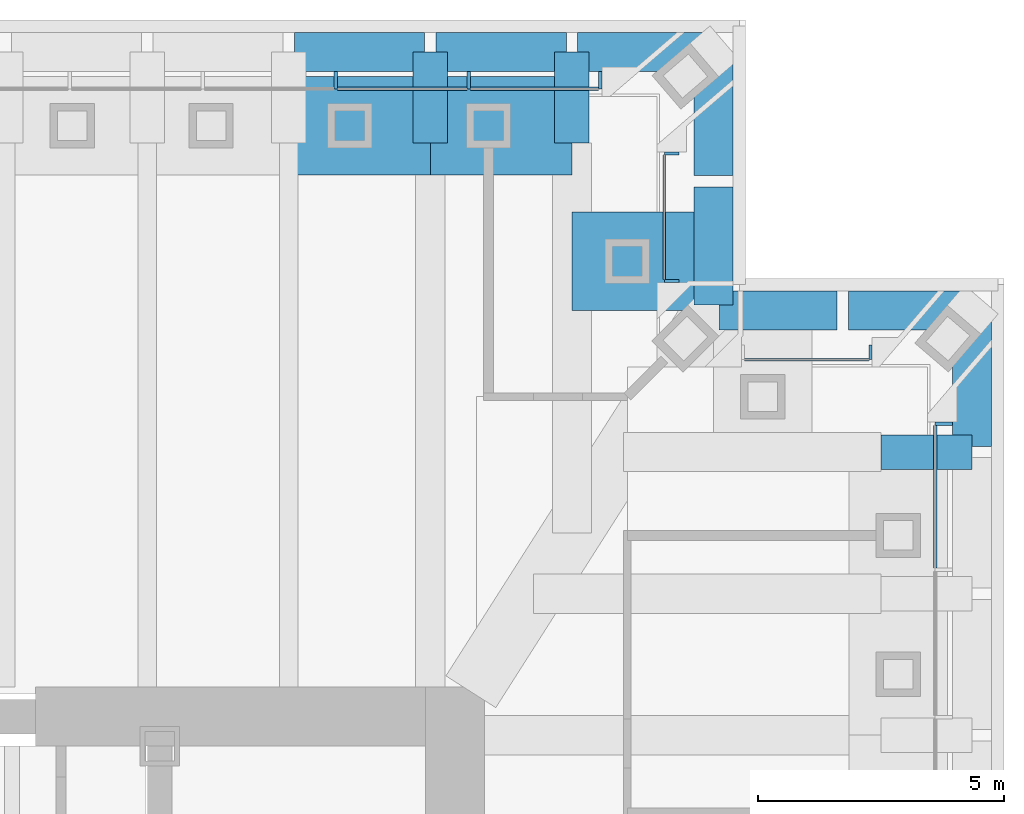
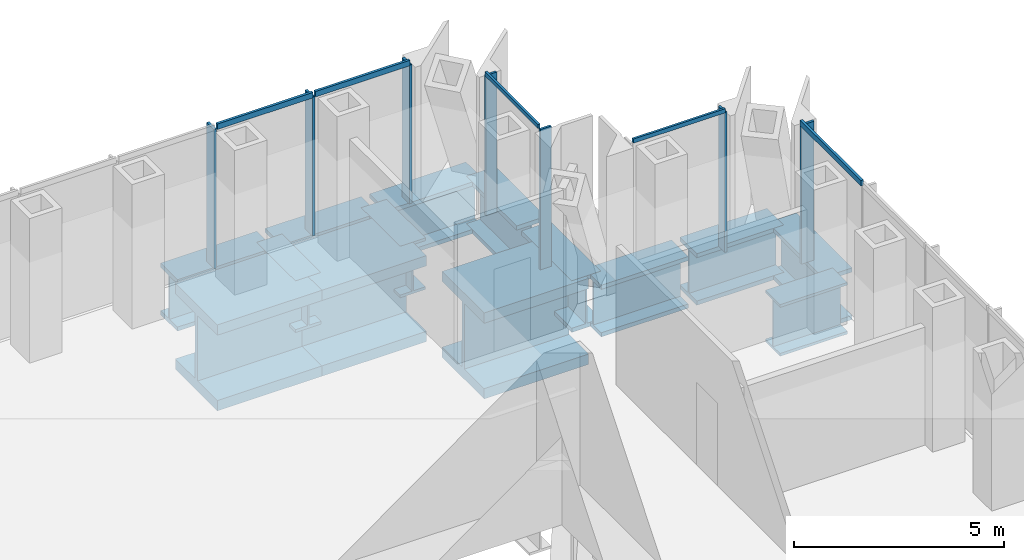
# One storey, part 6 of 12: 14 beams, 12 members, 4 elements without a shape of their own.
"""IFC4 building model written with IfcOpenShell, lengths in metres."""

from ifc_helpers import new_model, si_unit, direction, frame, origin, origin_2d, place, context, subcontext, project, spatial, rectangle, i_section, extrude, material, material_profile, profile_set, type_object, element, aggregate, save


model = new_model("IFC4")

# Units and contexts
model_context = context("Model", 3, precision=1e-05, world=origin(), true_north=direction((0.0, 1.0)))
body_context = subcontext(model_context, "Body", "Model", "MODEL_VIEW")
ifc_project = project(units=[si_unit("LENGTHUNIT", "METRE"), si_unit("AREAUNIT", "SQUARE_METRE"), si_unit("VOLUMEUNIT", "CUBIC_METRE"), si_unit("PLANEANGLEUNIT", "RADIAN"), si_unit("MASSUNIT", "GRAM", prefix="KILO")], contexts=[model_context])

# Site, building, storey
site_placement = place(None, origin())
site = spatial("IfcSite", under=ifc_project, at=site_placement, CompositionType="ELEMENT")
building_placement = place(site_placement, origin())
building = spatial("IfcBuilding", under=site, at=building_placement, Name="Daluyong Arena Tower", CompositionType="ELEMENT")
storey_placement = place(building_placement, frame((0.0, 0.0, 181.300048828125)))
storey = spatial("IfcBuildingStorey", under=building, at=storey_placement, Name="L40", CompositionType="ELEMENT", Elevation=181.300048828125)

# Curtain wall, member
ifc_material_1 = material(Name="Bronze anodised aluminium and glass", Category="aluminium")
curtain_wall_type_1 = type_object("IfcCurtainWallType", Name="Curtain wall CW3", PredefinedType="USERDEFINED", material=ifc_material_1)
curtain_wall_1_placement = place(storey_placement, origin())
curtain_wall_1 = element("IfcCurtainWall", 1, at=curtain_wall_1_placement, inside=storey, type_object=curtain_wall_type_1, Name="curtain wall L40 E", ObjectType="UNITISED CURTAIN WALL", PredefinedType="USERDEFINED")
ifc_material_2 = material(Name="Bronze anodised aluminium fin", Category="aluminium")
ifc_material_profile_1 = material_profile(ifc_material_2, rectangle(XDim=0.35009765625, YDim=0.070068359375, at=origin_2d()))
ifc_profile_set_1 = profile_set([ifc_material_profile_1], Name="Bronze anodised aluminium fin")
member_type_1 = type_object("IfcMemberType", Name="CW3 bronze fin 350x70", PredefinedType="MULLION", material=ifc_profile_set_1)
member_1_placement = place(storey_placement, frame((77.925048828125, 94.949462890625, 0.0), z_axis=(0.0, 0.0, 1.0), x_axis=(-1.0, 0.0, 0.0)))
member_1 = element("IfcMember", 2, at=member_1_placement, type_object=member_type_1, Name="curtain wall L40 E fin 11", PredefinedType="MULLION", context=body_context, shape_type="SweptSolid", body=[
    extrude(rectangle(XDim=0.35009765625, YDim=0.070068359375, at=origin_2d()), origin(), (0.0, 0.0, 1.0), 4.0400390625),
])

# Curtain wall, members
curtain_wall_2_placement = place(storey_placement, origin())
curtain_wall_2 = element("IfcCurtainWall", 3, at=curtain_wall_2_placement, inside=storey, type_object=curtain_wall_type_1, Name="curtain wall L40 N part 1", ObjectType="UNITISED CURTAIN WALL", PredefinedType="USERDEFINED")
member_2_placement = place(storey_placement, frame((70.949462890625, 101.925048828125, 0.0), z_axis=(0.0, 0.0, 1.0), x_axis=(0.0, -1.0, 0.0)))
member_2 = element("IfcMember", 4, at=member_2_placement, type_object=member_type_1, Name="curtain wall L40 N part 1 fin 1", PredefinedType="MULLION", context=body_context, shape_type="SweptSolid", body=[
    extrude(rectangle(XDim=0.35009765625, YDim=0.070068359375, at=origin_2d()), origin(), (0.0, 0.0, 1.0), 4.0400390625),
])
member_3_placement = place(storey_placement, frame((68.282958984375, 101.925048828125, 0.0), z_axis=(0.0, 0.0, 1.0), x_axis=(0.0, -1.0, 0.0)))
member_3 = element("IfcMember", 5, at=member_3_placement, type_object=member_type_1, Name="curtain wall L40 N part 1 fin 2", PredefinedType="MULLION", context=body_context, shape_type="SweptSolid", body=[
    extrude(rectangle(XDim=0.35009765625, YDim=0.070068359375, at=origin_2d()), origin(), (0.0, 0.0, 1.0), 4.0400390625),
])
member_4_placement = place(storey_placement, frame((65.58154296875, 101.925048828125, 0.0), z_axis=(0.0, 0.0, 1.0), x_axis=(0.0, -1.0, 0.0)))
member_4 = element("IfcMember", 6, at=member_4_placement, type_object=member_type_1, Name="curtain wall L40 N part 1 fin 3", PredefinedType="MULLION", context=body_context, shape_type="SweptSolid", body=[
    extrude(rectangle(XDim=0.35009765625, YDim=0.070068359375, at=origin_2d()), origin(), (0.0, 0.0, 1.0), 4.0400390625),
])

# Member
ifc_material_3 = material(Name="Bronze anodised aluminium", Category="aluminium")
ifc_material_profile_2 = material_profile(ifc_material_3, rectangle(XDim=0.070068359375, YDim=0.159912109375, at=origin_2d()))
ifc_profile_set_2 = profile_set([ifc_material_profile_2], Name="Bronze anodised aluminium")
member_type_2 = type_object("IfcMemberType", Name="CW3 stack transom 160x70", PredefinedType="USERDEFINED", material=ifc_profile_set_2)
member_5_placement = place(storey_placement, frame((77.75, 92.022705078125, 4.119873046875), z_axis=(0.0, 1.0, 0.0), x_axis=(-1.0, 0.0, 0.0)))
member_5 = element("IfcMember", 7, at=member_5_placement, type_object=member_type_2, Name="curtain wall L40 E transom 10", ObjectType="TRANSOM", PredefinedType="USERDEFINED", context=body_context, shape_type="SweptSolid", body=[
    extrude(rectangle(XDim=0.070068359375, YDim=0.159912109375, at=origin_2d()), origin(), (0.0, 0.0, 1.0), 2.891845703125),
])

aggregate(curtain_wall_1, [member_1, member_5])

member_6_placement = place(storey_placement, frame((70.91455078125, 101.75, 4.119873046875), z_axis=(-1.0, 0.0, 0.0), x_axis=(0.0, -1.0, 0.0)))
member_6 = element("IfcMember", 8, at=member_6_placement, type_object=member_type_2, Name="curtain wall L40 N part 1 transom 1", ObjectType="TRANSOM", PredefinedType="USERDEFINED", context=body_context, shape_type="SweptSolid", body=[
    extrude(rectangle(XDim=0.070068359375, YDim=0.159912109375, at=origin_2d()), origin(), (0.0, 0.0, 1.0), 2.596435546875),
])

member_7_placement = place(storey_placement, frame((68.248046875, 101.75, 4.119873046875), z_axis=(-1.0, 0.0, 0.0), x_axis=(0.0, -1.0, 0.0)))
member_7 = element("IfcMember", 9, at=member_7_placement, type_object=member_type_2, Name="curtain wall L40 N part 1 transom 2", ObjectType="TRANSOM", PredefinedType="USERDEFINED", context=body_context, shape_type="SweptSolid", body=[
    extrude(rectangle(XDim=0.070068359375, YDim=0.159912109375, at=origin_2d()), origin(), (0.0, 0.0, 1.0), 2.63134765625),
])

aggregate(curtain_wall_2, [member_2, member_3, member_4, member_6, member_7])

# Curtain wall, member
ifc_material_4 = material(Name="Bronze anodised aluminium and glass", Category="aluminium")
curtain_wall_type_2 = type_object("IfcCurtainWallType", Name="Curtain wall CW7", PredefinedType="USERDEFINED", material=ifc_material_4)
curtain_wall_3_placement = place(storey_placement, origin())
curtain_wall_3 = element("IfcCurtainWall", 10, at=curtain_wall_3_placement, inside=storey, type_object=curtain_wall_type_2, Name="curtain wall L40 NE-N", ObjectType="UNITISED CURTAIN WALL", PredefinedType="USERDEFINED")
ifc_material_5 = material(Name="Bronze anodised aluminium fin", Category="aluminium")
ifc_material_profile_3 = material_profile(ifc_material_5, rectangle(XDim=0.300048828125, YDim=0.06005859375, at=origin_2d()))
ifc_profile_set_3 = profile_set([ifc_material_profile_3], Name="Bronze anodised aluminium fin")
member_type_3 = type_object("IfcMemberType", Name="CW7 bronze fin 300x60", PredefinedType="MULLION", material=ifc_profile_set_3)
member_8_placement = place(storey_placement, frame((76.44091796875, 96.39990234375, 0.0), z_axis=(0.0, 0.0, 1.0), x_axis=(0.0, -1.0, 0.0)))
member_8 = element("IfcMember", 11, at=member_8_placement, type_object=member_type_3, Name="curtain wall L40 NE-N fin 1", PredefinedType="MULLION", context=body_context, shape_type="SweptSolid", body=[
    extrude(rectangle(XDim=0.300048828125, YDim=0.06005859375, at=origin_2d()), origin(), (0.0, 0.0, 1.0), 4.079833984375),
])

# Curtain wall, members
curtain_wall_4_placement = place(storey_placement, origin())
curtain_wall_4 = element("IfcCurtainWall", 12, at=curtain_wall_4_placement, inside=storey, type_object=curtain_wall_type_2, Name="curtain wall L40 NE-E", ObjectType="UNITISED CURTAIN WALL", PredefinedType="USERDEFINED")
member_9_placement = place(storey_placement, frame((72.39990234375, 97.85205078125, 0.0), z_axis=(0.0, 0.0, 1.0), x_axis=(-1.0, 0.0, 0.0)))
member_9 = element("IfcMember", 13, at=member_9_placement, type_object=member_type_3, Name="curtain wall L40 NE-E fin 1", PredefinedType="MULLION", context=body_context, shape_type="SweptSolid", body=[
    extrude(rectangle(XDim=0.300048828125, YDim=0.06005859375, at=origin_2d()), origin(), (0.0, 0.0, 1.0), 4.079833984375),
])
member_10_placement = place(storey_placement, frame((72.39990234375, 100.44091796875, 0.0), z_axis=(0.0, 0.0, 1.0), x_axis=(-1.0, 0.0, 0.0)))
member_10 = element("IfcMember", 14, at=member_10_placement, type_object=member_type_3, Name="curtain wall L40 NE-E fin 2", PredefinedType="MULLION", context=body_context, shape_type="SweptSolid", body=[
    extrude(rectangle(XDim=0.300048828125, YDim=0.06005859375, at=origin_2d()), origin(), (0.0, 0.0, 1.0), 4.079833984375),
])

# Member
ifc_material_6 = material(Name="Bronze anodised aluminium", Category="aluminium")
ifc_material_profile_4 = material_profile(ifc_material_6, rectangle(XDim=0.06005859375, YDim=0.1201171875, at=origin_2d()))
ifc_profile_set_4 = profile_set([ifc_material_profile_4], Name="Bronze anodised aluminium")
member_type_4 = type_object("IfcMemberType", Name="CW7 stack transom 120x60", PredefinedType="USERDEFINED", material=ifc_profile_set_4)
member_11_placement = place(storey_placement, frame((76.410888671875, 96.25, 4.139892578125), z_axis=(-1.0, 0.0, 0.0), x_axis=(0.0, -1.0, 0.0)))
member_11 = element("IfcMember", 15, at=member_11_placement, type_object=member_type_4, Name="curtain wall L40 NE-N transom 1", ObjectType="TRANSOM", PredefinedType="USERDEFINED", context=body_context, shape_type="SweptSolid", body=[
    extrude(rectangle(XDim=0.06005859375, YDim=0.1201171875, at=origin_2d()), origin(), (0.0, 0.0, 1.0), 2.52880859375),
])

aggregate(curtain_wall_3, [member_8, member_11])

member_12_placement = place(storey_placement, frame((72.25, 97.882080078125, 4.139892578125), z_axis=(0.0, 1.0, 0.0), x_axis=(-1.0, 0.0, 0.0)))
member_12 = element("IfcMember", 16, at=member_12_placement, type_object=member_type_4, Name="curtain wall L40 NE-E transom 1", ObjectType="TRANSOM", PredefinedType="USERDEFINED", context=body_context, shape_type="SweptSolid", body=[
    extrude(rectangle(XDim=0.06005859375, YDim=0.1201171875, at=origin_2d()), origin(), (0.0, 0.0, 1.0), 2.52880859375),
])

aggregate(curtain_wall_4, [member_9, member_10, member_12])

# Beams
ifc_material_7 = material(Name="Steel ASTM A588 Grade 50", Category="steel")
ifc_material_profile_5 = material_profile(ifc_material_7, i_section(OverallWidth=0.800048828125, OverallDepth=1.5, WebThickness=0.05, FlangeThickness=0.12, at=origin_2d()))
ifc_profile_set_5 = profile_set([ifc_material_profile_5], Name="Steel ASTM A588 Grade 50")
beam_type_1 = type_object("IfcBeamType", Name="Spandrel Z2 PG1500X800", PredefinedType="SPANDREL", material=ifc_profile_set_5)
beam_placement = place(storey_placement, frame((78.5, 94.489990234375, -1.0), z_axis=(0.0, 1.0, 0.0), x_axis=(-1.0, 0.0, 0.0)))
element("IfcBeam", 17, at=beam_placement, inside=storey, type_object=beam_type_1, Name="spandrel z2 SB5", PredefinedType="SPANDREL", context=body_context, shape_type="SweptSolid", body=[
    extrude(i_section(OverallWidth=0.800048828125, OverallDepth=1.5, WebThickness=0.05, FlangeThickness=0.12, at=origin_2d()), origin(), (0.0, 0.0, 1.0), 2.64501953125),
])
for number, where, z_axis, x_axis, name in (
    (18, (78.385009765625, 97.25, -1.0), (-1.0, 0.0, 0.0), (0.0, -1.0, 0.0), "spandrel z2 SB5"),
    (19, (75.760009765625, 97.25, -1.0), (-1.0, 0.0, 0.0), (0.0, -1.0, 0.0), "spandrel z2 SB5"),
    (20, (73.25, 97.364990234375, -1.0), (0.0, 1.0, 0.0), (-1.0, 0.0, 0.0), "spandrel z2 SB5"),
    (21, (73.25, 99.989990234375, -1.0), (0.0, 1.0, 0.0), (-1.0, 0.0, 0.0), "spandrel z2 SB5"),
):
    element("IfcBeam", number, at=place(storey_placement, frame(where, z_axis=z_axis, x_axis=x_axis)), inside=storey, type_object=beam_type_1, Name=name, PredefinedType="SPANDREL", context=body_context, shape_type="SweptSolid", body=[
        extrude(i_section(OverallWidth=0.800048828125, OverallDepth=1.5, WebThickness=0.05, FlangeThickness=0.12, at=origin_2d()), origin(), (0.0, 0.0, 1.0), 2.39501953125),
    ])
for number, where, z_axis, x_axis, name in (
    (22, (73.135009765625, 102.5, -1.0), (-1.0, 0.0, 0.0), (0.0, -1.0, 0.0), "spandrel z2 SB5"),
    (23, (70.260009765625, 102.5, -1.0), (-1.0, 0.0, 0.0), (0.0, -1.0, 0.0), "spandrel z2 SB5"),
    (24, (67.385009765625, 102.5, -1.0), (-1.0, 0.0, 0.0), (0.0, -1.0, 0.0), "spandrel z2 SB5"),
):
    element("IfcBeam", number, at=place(storey_placement, frame(where, z_axis=z_axis, x_axis=x_axis)), inside=storey, type_object=beam_type_1, Name=name, PredefinedType="SPANDREL", context=body_context, shape_type="SweptSolid", body=[
        extrude(i_section(OverallWidth=0.800048828125, OverallDepth=1.5, WebThickness=0.05, FlangeThickness=0.12, at=origin_2d()), origin(), (0.0, 0.0, 1.0), 2.64501953125),
    ])
ifc_material_8 = material(Name="Steel ASTM A572 Grade 50", Category="steel")
ifc_material_profile_6 = material_profile(ifc_material_8, i_section(OverallWidth=0.699951171875, OverallDepth=1.5, WebThickness=0.04, FlangeThickness=0.08, at=origin_2d()))
ifc_profile_set_6 = profile_set([ifc_material_profile_6], Name="Steel ASTM A572 Grade 50")
beam_type_2 = type_object("IfcBeamType", Name="Transfer beam PG1500X700", PredefinedType="BEAM", material=ifc_profile_set_6)
for number, where, z_axis, x_axis, name in (
    (25, (78.5, 94.375, -1.0), (-1.0, 0.0, 0.0), (0.0, -1.0, 0.0), "transfer beam TR6"),
    (26, (70.375, 102.5, -1.0), (0.0, -1.0, 0.0), (1.0, 0.0, 0.0), "transfer beam TR6"),
    (27, (67.5, 102.5, -1.0), (0.0, -1.0, 0.0), (1.0, 0.0, 0.0), "transfer beam TR6"),
):
    element("IfcBeam", number, at=place(storey_placement, frame(where, z_axis=z_axis, x_axis=x_axis)), inside=storey, type_object=beam_type_2, Name=name, PredefinedType="BEAM", context=body_context, shape_type="SweptSolid", body=[
        extrude(i_section(OverallWidth=0.699951171875, OverallDepth=1.5, WebThickness=0.04, FlangeThickness=0.08, at=origin_2d()), origin(), (0.0, 0.0, 1.0), 1.85009765625),
    ])
ifc_material_9 = material(Name="Steel ASTM A36", Category="steel")
ifc_material_profile_7 = material_profile(ifc_material_9, i_section(OverallWidth=2.0, OverallDepth=2.5, WebThickness=0.12, FlangeThickness=0.3, at=origin_2d()))
ifc_profile_set_7 = profile_set([ifc_material_profile_7], Name="Steel ASTM A36")
beam_type_3 = type_object("IfcBeamType", Name="Transfer beam PG2500X2000", PredefinedType="BEAM", material=ifc_profile_set_7)
for number, where, z_axis, x_axis, name in (
    (28, (70.375, 98.25, -1.5), (1.0, 0.0, 0.0), (0.0, 1.0, 0.0), "transfer beam TR3"),
    (29, (64.625, 101.0, -1.5), (1.0, 0.0, 0.0), (0.0, 1.0, 0.0), "transfer beam TR3"),
    (30, (67.5, 101.0, -1.5), (1.0, 0.0, 0.0), (0.0, 1.0, 0.0), "transfer beam TR3"),
):
    element("IfcBeam", number, at=place(storey_placement, frame(where, z_axis=z_axis, x_axis=x_axis)), inside=storey, type_object=beam_type_3, Name=name, PredefinedType="BEAM", context=body_context, shape_type="SweptSolid", body=[
        extrude(i_section(OverallWidth=2.0, OverallDepth=2.5, WebThickness=0.12, FlangeThickness=0.3, at=origin_2d()), origin(), (0.0, 0.0, 1.0), 2.875),
    ])

save(model, "model.ifc")
